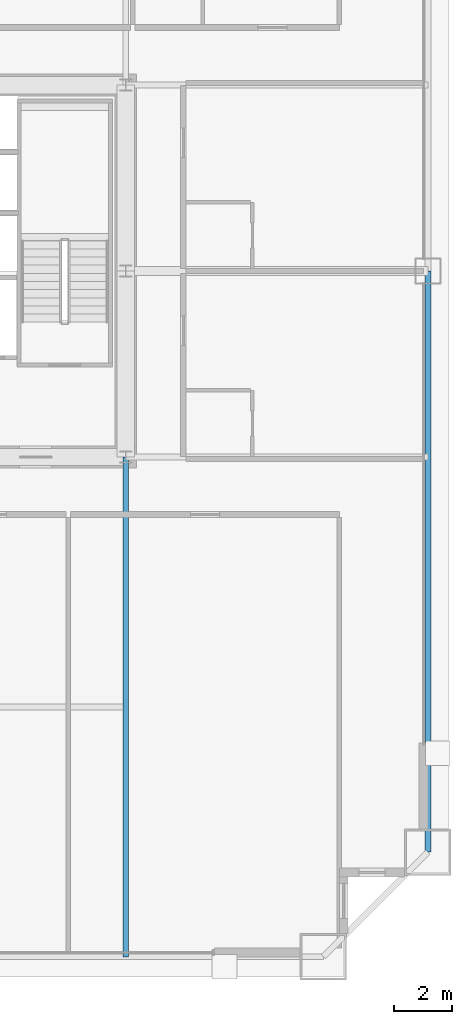
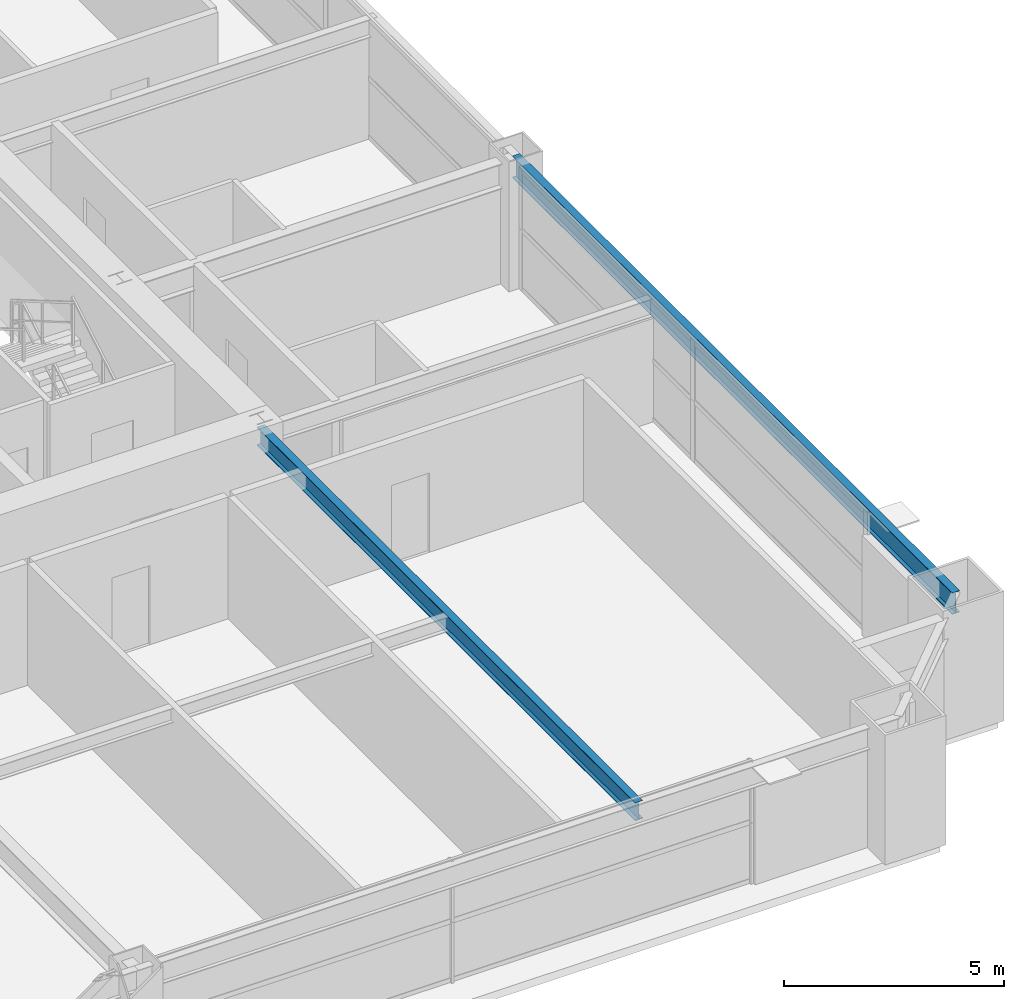
# One storey, part 17 of 39: 2 beams.
"""IFC4 building model written with IfcOpenShell, lengths in metres."""

from ifc_helpers import new_model, si_unit, direction, frame, origin, origin_2d, place, context, subcontext, project, spatial, i_section, extrude, source, transform, mapped, material, material_profile, profile_set, type_object, element, save


model = new_model("IFC4")

# Units and contexts
model_context = context("Model", 3, precision=1e-05, world=origin(), true_north=direction((0.0, 1.0)))
body_context = subcontext(model_context, "Body", "Model", "MODEL_VIEW")
ifc_project = project(units=[si_unit("LENGTHUNIT", "METRE"), si_unit("AREAUNIT", "SQUARE_METRE"), si_unit("VOLUMEUNIT", "CUBIC_METRE"), si_unit("PLANEANGLEUNIT", "RADIAN"), si_unit("MASSUNIT", "GRAM", prefix="KILO"), si_unit("THERMODYNAMICTEMPERATUREUNIT", "KELVIN"), si_unit("POWERUNIT", "WATT")], contexts=[model_context])

# Site, building, storey
site_placement = place(None, origin())
site = spatial("IfcSite", under=ifc_project, at=site_placement, CompositionType="ELEMENT")
building_placement = place(site_placement, origin())
building = spatial("IfcBuilding", under=site, at=building_placement, Name="Yuzanri Waterfront Tower", CompositionType="ELEMENT")
storey_placement = place(building_placement, frame((0.0, 0.0, 134.39990234375)))
storey = spatial("IfcBuildingStorey", under=building, at=storey_placement, Name="L35", CompositionType="ELEMENT", Elevation=134.39990234375)

# Beams
ifc_material_1 = material(Name="Steel Q355B", Category="steel")
ifc_material_profile_1 = material_profile(ifc_material_1, i_section(OverallWidth=0.199951171875, OverallDepth=0.60009765625, WebThickness=0.010986328125, FlangeThickness=0.01708984375, at=origin_2d()), Name="HN 600x200x11x17")
ifc_profile_set_1 = profile_set([ifc_material_profile_1], Name="Steel Q355B")
beam_type_1 = type_object("IfcBeamType", Name="Perimeter Spandrel Q355B HN 600x200", PredefinedType="SPANDREL", material=ifc_profile_set_1)
shared_shape_1 = source(origin(), body_context, "Body", "SweptSolid", [
    extrude(i_section(OverallWidth=0.199951171875, OverallDepth=0.60009765625, WebThickness=0.010986328125, FlangeThickness=0.01708984375, at=origin_2d()), origin(), (0.0, 0.0, 1.0), 20.0),
])
beam_1_placement = place(storey_placement, frame((60.60009765625, 5.800048828125, 3.080078125), z_axis=(0.0, 1.0, 0.0), x_axis=(-1.0, 0.0, 0.0)))
element("IfcBeam", 1, at=beam_1_placement, inside=storey, type_object=beam_type_1, Name="L35 Perimeter Spandrel E1-E2", PredefinedType="SPANDREL", context=body_context, shape_type="MappedRepresentation", body=[
    mapped(shared_shape_1, transform((0.0, 0.0, 0.0), scale=1.0)),
])
ifc_material_2 = material(Name="Steel Q355B", Category="steel")
ifc_material_profile_2 = material_profile(ifc_material_2, i_section(OverallWidth=0.199951171875, OverallDepth=0.5, WebThickness=0.010009765625, FlangeThickness=0.01611328125, at=origin_2d()), Name="HN 500x200x10x16")
ifc_profile_set_2 = profile_set([ifc_material_profile_2], Name="Steel Q355B")
beam_type_2 = type_object("IfcBeamType", Name="Secondary Floor Beam Q355B HN 500x200", PredefinedType="BEAM", material=ifc_profile_set_2)
shared_shape_2 = source(origin(), body_context, "Body", "SweptSolid", [
    extrude(i_section(OverallWidth=0.199951171875, OverallDepth=0.5, WebThickness=0.010009765625, FlangeThickness=0.01611328125, at=origin_2d()), origin(), (0.0, 0.0, 1.0), 17.199951171875),
])
beam_2_placement = place(storey_placement, frame((50.199951171875, 19.39990234375, 3.130126953125), z_axis=(0.0, -1.0, 0.0), x_axis=(1.0, 0.0, 0.0)))
element("IfcBeam", 2, at=beam_2_placement, inside=storey, type_object=beam_type_2, Name="L35 South-East Core Line Beam", PredefinedType="BEAM", context=body_context, shape_type="MappedRepresentation", body=[
    mapped(shared_shape_2, transform((0.0, 0.0, 0.0), scale=1.0)),
])

save(model, "model.ifc")
